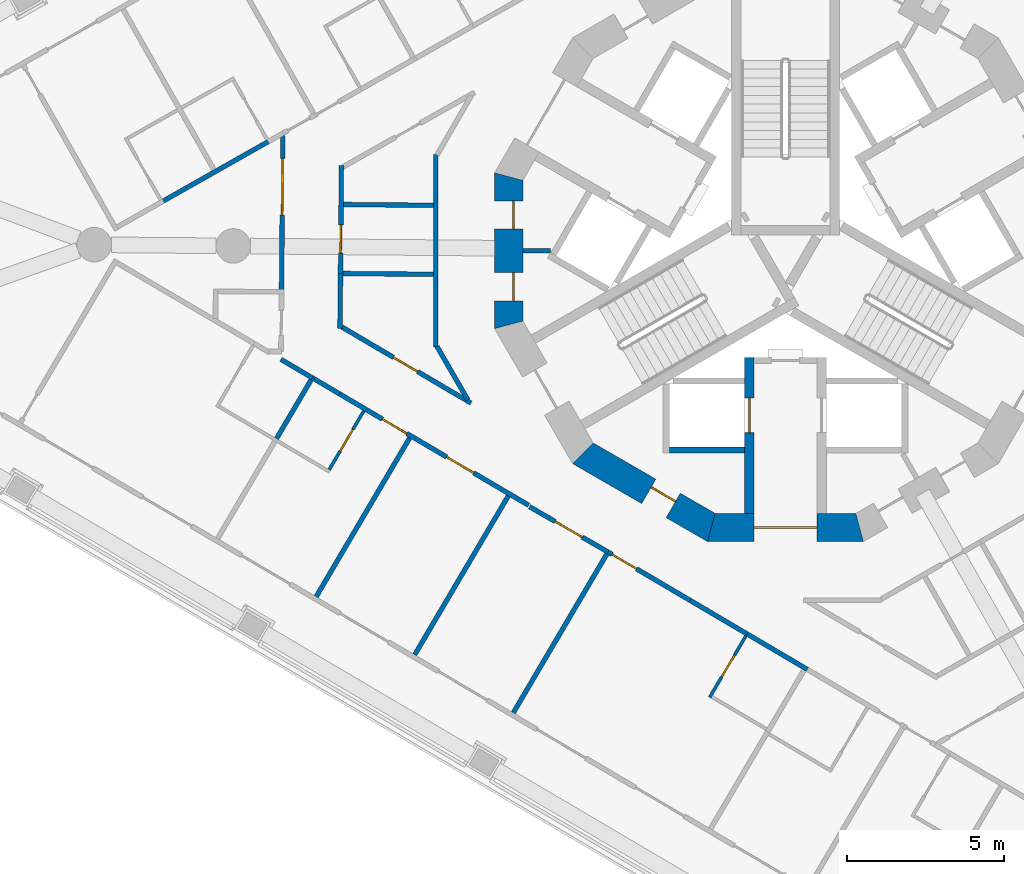
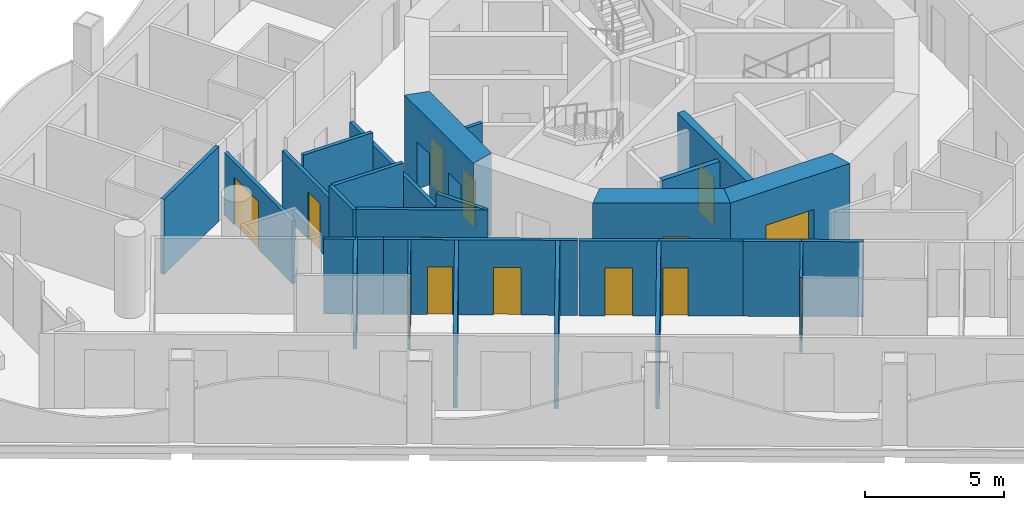
# One storey, part 3 of 18: 28 walls, 14 doors, 14 openings.
"""IFC4 building model written with IfcOpenShell, lengths in metres."""

from ifc_helpers import new_model, si_unit, direction, frame, frame_2d, origin, place, context, subcontext, project, spatial, polyline, rectangle, outline, extrude, material, layer, layer_set, type_object, element, fill, save


model = new_model("IFC4")

# Units and contexts
model_context = context("Model", 3, precision=1e-05, world=origin(), true_north=direction((0.0, 1.0)))
body_context = subcontext(model_context, "Body", "Model", "MODEL_VIEW")
ifc_project = project(units=[si_unit("LENGTHUNIT", "METRE"), si_unit("AREAUNIT", "SQUARE_METRE"), si_unit("VOLUMEUNIT", "CUBIC_METRE"), si_unit("PLANEANGLEUNIT", "RADIAN"), si_unit("MASSUNIT", "GRAM", prefix="KILO")], contexts=[model_context])

# Site, building, storey
site_placement = place(None, origin())
site = spatial("IfcSite", under=ifc_project, at=site_placement, CompositionType="ELEMENT")
building_placement = place(site_placement, origin())
building = spatial("IfcBuilding", under=site, at=building_placement, Name="Trine Commons Tower", CompositionType="ELEMENT")
storey_placement = place(building_placement, frame((0.0, 0.0, 171.89990234375)))
storey = spatial("IfcBuildingStorey", under=building, at=storey_placement, Name="L44", CompositionType="ELEMENT", Elevation=171.89990234375)

# Wall
ifc_material_1 = material(Name="Plasterboard partition on steel studs", Category="steel")
ifc_layer_1 = layer(ifc_material_1, 0.14990234375)
ifc_layer_set_1 = layer_set([ifc_layer_1], Name="Plasterboard partition on steel studs")
wall_type_1 = type_object("IfcWallType", Name="Core room partition 150 mm, EI 60", PredefinedType="PARTITIONING", material=ifc_layer_set_1)
wall_1_placement = place(storey_placement, frame((71.626953125, 62.5, 0.0), z_axis=(0.0, 0.0, 1.0), x_axis=(1.0, 0.0, 0.0)))
element("IfcWall", 1, at=wall_1_placement, inside=storey, type_object=wall_type_1, Name="Core room partition L44", PredefinedType="PARTITIONING", context=body_context, shape_type="SweptSolid", body=[
    extrude(rectangle(XDim=0.882080078125, YDim=0.14990234375, at=frame_2d((0.44091796875, 0.0))), origin(), (0.0, 0.0, 1.0), 3.300048828125),
])

# Wall, opening, door
ifc_material_2 = material(Name="Concrete C60/75", Category="concrete")
ifc_layer_2 = layer(ifc_material_2, 0.300048828125)
ifc_layer_set_2 = layer_set([ifc_layer_2], Name="Concrete C60/75")
wall_type_2 = type_object("IfcWallType", Name="RC shear wall 300 mm, C60/75", PredefinedType="SHEAR", material=ifc_layer_set_2)
wall_2_placement = place(storey_placement, frame((78.85009765625, 59.10009765625, 0.0), z_axis=(0.0, 0.0, 1.0), x_axis=(0.0, -1.0, 0.0)))
wall_2 = element("IfcWall", 2, at=wall_2_placement, inside=storey, type_object=wall_type_2, Name="Core cross wall SWB-03 L44", PredefinedType="SHEAR", context=body_context, shape_type="SweptSolid", body=[
    extrude(rectangle(XDim=4.97314453125, YDim=0.300048828125, at=frame_2d((2.486572265625, 0.0))), origin(), (0.0, 0.0, 1.0), 3.60009765625),
])
opening_1_placement = place(wall_2_placement, frame((1.300048828125, 0.0, 0.0)))
opening_1 = element("IfcOpeningElement", 3, at=opening_1_placement, cuts=wall_2, Name="Opening LD10", PredefinedType="OPENING", context=body_context, shape_type="SweptSolid", body=[
    extrude(rectangle(XDim=1.10009765625, YDim=2.10009765625, at=frame_2d((0.550048828125, 1.050048828125))), frame((0.0, 0.159912109375, 0.0), z_axis=(0.0, -1.0, 0.0), x_axis=(1.0, 0.0, 0.0)), (0.0, 0.0, 1.0), 0.320068359375),
])
ifc_material_3 = material(Name="Stainless steel sliding door leaves", Category="steel")
door_type_1 = type_object("IfcDoorType", Name="Lift landing door, centre-opening sliding 1100 x 2100, FD90", OperationType="DOUBLE_DOOR_SLIDING", PredefinedType="DOOR", material=ifc_material_3)
door_1_placement = place(opening_1_placement, origin())
door_1 = element("IfcDoor", 4, at=door_1_placement, inside=storey, type_object=door_type_1, Name="Lift landing door FF2 L44", OperationType="DOUBLE_DOOR_SLIDING", OverallHeight=2.10009765625, OverallWidth=1.10009765625, PredefinedType="DOOR", context=body_context, shape_type="SweptSolid", body=[
    extrude(rectangle(XDim=1.10009765625, YDim=2.10009765625, at=frame_2d((0.550048828125, 1.050048828125))), frame((0.0, 0.02490234375, 0.0), z_axis=(0.0, -1.0, 0.0), x_axis=(1.0, 0.0, 0.0)), (0.0, 0.0, 1.0), 0.050048828125),
])
fill(opening_1, door_1)

# Wall, openings, doors
ifc_layer_3 = layer(ifc_material_2, 0.89990234375)
ifc_layer_set_3 = layer_set([ifc_layer_3], Name="Concrete C60/75")
wall_type_3 = type_object("IfcWallType", Name="RC shear wall 900 mm, C60/75", PredefinedType="SHEAR", material=ifc_layer_set_3)
wall_3_placement = place(storey_placement, frame((71.177001953125, 64.984619140625, 0.0), z_axis=(0.0, 0.0, 1.0), x_axis=(0.0, -1.0, 0.0)))
wall_3 = element("IfcWall", 5, at=wall_3_placement, inside=storey, type_object=wall_type_3, Name="Core wall CWE-07 L44", PredefinedType="SHEAR", context=body_context, shape_type="SweptSolid", body=[
    extrude(outline(polyline([(0.0, -0.449951171875), (4.969482421875, -0.449951171875), (4.728271484375, 0.449951171875), (0.2412109375, 0.449951171875), (0.0, -0.449951171875)])), origin(), (0.0, 0.0, 1.0), 3.60009765625),
])
opening_2_placement = place(wall_3_placement, frame((0.893798828125, 0.0, 0.0)))
opening_2 = element("IfcOpeningElement", 6, at=opening_2_placement, cuts=wall_3, Name="Opening K11.14", PredefinedType="OPENING", context=body_context, shape_type="SweptSolid", body=[
    extrude(rectangle(XDim=0.89990234375, YDim=2.10009765625, at=frame_2d((0.449951171875, 1.050048828125))), frame((0.0, 0.4599609375, 0.0), z_axis=(0.0, -1.0, 0.0), x_axis=(1.0, 0.0, 0.0)), (0.0, 0.0, 1.0), 0.919921875),
])
opening_3_placement = place(wall_3_placement, frame((3.184814453125, 0.0, 0.0)))
opening_3 = element("IfcOpeningElement", 7, at=opening_3_placement, cuts=wall_3, Name="Opening K11.15", PredefinedType="OPENING", context=body_context, shape_type="SweptSolid", body=[
    extrude(rectangle(XDim=0.89990234375, YDim=2.10009765625, at=frame_2d((0.449951171875, 1.050048828125))), frame((0.0, 0.4599609375, 0.0), z_axis=(0.0, -1.0, 0.0), x_axis=(1.0, 0.0, 0.0)), (0.0, 0.0, 1.0), 0.919921875),
])
ifc_material_4 = material(Name="Steel door leaf, fire-rated", Category="steel")
door_type_2 = type_object("IfcDoorType", Name="Core room door, single leaf 900 x 2100, FD30S", OperationType="SINGLE_SWING_LEFT", PredefinedType="DOOR", material=ifc_material_4)
door_2_placement = place(opening_2_placement, origin())
door_2 = element("IfcDoor", 8, at=door_2_placement, inside=storey, type_object=door_type_2, Name="Door to Cleaner's store L44", OperationType="SINGLE_SWING_LEFT", OverallHeight=2.10009765625, OverallWidth=0.89990234375, PredefinedType="DOOR", context=body_context, shape_type="SweptSolid", body=[
    extrude(rectangle(XDim=0.89990234375, YDim=2.10009765625, at=frame_2d((0.449951171875, 1.050048828125))), frame((0.0, 0.1748046875, 0.0), z_axis=(0.0, -1.0, 0.0), x_axis=(1.0, 0.0, 0.0)), (0.0, 0.0, 1.0), 0.050048828125),
])
fill(opening_2, door_2)
door_3_placement = place(opening_3_placement, origin())
door_3 = element("IfcDoor", 9, at=door_3_placement, inside=storey, type_object=door_type_2, Name="Door to Accessible WC L44", OperationType="SINGLE_SWING_RIGHT", OverallHeight=2.10009765625, OverallWidth=0.89990234375, PredefinedType="DOOR", context=body_context, shape_type="SweptSolid", body=[
    extrude(rectangle(XDim=0.89990234375, YDim=2.10009765625, at=frame_2d((0.449951171875, 1.050048828125))), frame((0.0, 0.1748046875, 0.0), z_axis=(0.0, -1.0, 0.0), x_axis=(1.0, 0.0, 0.0)), (0.0, 0.0, 1.0), 0.050048828125),
])
fill(opening_3, door_3)

# Wall, opening, door
wall_4_placement = place(storey_placement, frame((73.436767578125, 56.1015625, 0.0), z_axis=(0.0, 0.0, 1.0), x_axis=(0.866003133579, -0.500038571144, 0.0)))
wall_4 = element("IfcWall", 10, at=wall_4_placement, inside=storey, type_object=wall_type_3, Name="Core wall CWE-09 L44", PredefinedType="SHEAR", context=body_context, shape_type="SweptSolid", body=[
    extrude(outline(polyline([(0.0, -0.449951171875), (4.96923828125, -0.449951171875), (4.72802734375, 0.449951171875), (0.2412109375, 0.449951171875), (0.0, -0.449951171875)])), origin(), (0.0, 0.0, 1.0), 3.60009765625),
])
opening_4_placement = place(wall_4_placement, frame((2.5458984375, 0.0, 0.0)))
opening_4 = element("IfcOpeningElement", 11, at=opening_4_placement, cuts=wall_4, Name="Opening K11.16", PredefinedType="OPENING", context=body_context, shape_type="SweptSolid", body=[
    extrude(rectangle(XDim=0.89990234375, YDim=2.10009765625, at=frame_2d((0.449951171875, 1.050048828125))), frame((0.0, 0.4599609375, 0.0), z_axis=(0.0, -1.0, 0.0), x_axis=(1.0, 0.0, 0.0)), (0.0, 0.0, 1.0), 0.919921875),
])
door_4_placement = place(opening_4_placement, origin())
door_4 = element("IfcDoor", 12, at=door_4_placement, inside=storey, type_object=door_type_2, Name="Door to Pantry L44", OperationType="SINGLE_SWING_RIGHT", OverallHeight=2.10009765625, OverallWidth=0.89990234375, PredefinedType="DOOR", context=body_context, shape_type="SweptSolid", body=[
    extrude(rectangle(XDim=0.89990234375, YDim=2.10009765625, at=frame_2d((0.449951171875, 1.050048828125))), frame((0.0, 0.1748046875, 0.0), z_axis=(0.0, -1.0, 0.0), x_axis=(1.0, 0.0, 0.0)), (0.0, 0.0, 1.0), 0.050048828125),
])
fill(opening_4, door_4)

wall_5_placement = place(storey_placement, frame((77.515380859375, 53.677001953125, 0.0), z_axis=(0.0, 0.0, 1.0), x_axis=(1.0, 0.0, 0.0)))
wall_5 = element("IfcWall", 13, at=wall_5_placement, inside=storey, type_object=wall_type_3, Name="Core wall CWE-10 L44", PredefinedType="SHEAR", context=body_context, shape_type="SweptSolid", body=[
    extrude(outline(polyline([(0.0, -0.449951171875), (4.969482421875, -0.449951171875), (4.728271484375, 0.449951171875), (0.2412109375, 0.449951171875), (0.0, -0.449951171875)])), origin(), (0.0, 0.0, 1.0), 3.60009765625),
])
opening_5_placement = place(wall_5_placement, frame((1.484619140625, 0.0, 0.0)))
opening_5 = element("IfcOpeningElement", 14, at=opening_5_placement, cuts=wall_5, Name="Opening K11.08", PredefinedType="OPENING", context=body_context, shape_type="SweptSolid", body=[
    extrude(rectangle(XDim=2.0, YDim=2.10009765625, at=frame_2d((1.0, 1.050048828125))), frame((0.0, 0.4599609375, 0.0), z_axis=(0.0, -1.0, 0.0), x_axis=(1.0, 0.0, 0.0)), (0.0, 0.0, 1.0), 0.919921875),
])
ifc_material_5 = material(Name="Steel door leaves, fire-rated", Category="steel")
door_type_3 = type_object("IfcDoorType", Name="Lobby door, double leaf 2000 x 2100, FD60", OperationType="DOUBLE_DOOR_SINGLE_SWING", PredefinedType="DOOR", material=ifc_material_5)
door_5_placement = place(opening_5_placement, origin())
door_5 = element("IfcDoor", 15, at=door_5_placement, inside=storey, type_object=door_type_3, Name="Lobby door, Service and firefighting lobby L44", OperationType="DOUBLE_DOOR_SINGLE_SWING", OverallHeight=2.10009765625, OverallWidth=2.0, PredefinedType="DOOR", context=body_context, shape_type="SweptSolid", body=[
    extrude(rectangle(XDim=2.0, YDim=2.10009765625, at=frame_2d((1.0, 1.050048828125))), frame((0.0, 0.02490234375, 0.0), z_axis=(0.0, -1.0, 0.0), x_axis=(1.0, 0.0, 0.0)), (0.0, 0.0, 1.0), 0.050048828125),
])
fill(opening_5, door_5)

# Walls
ifc_material_6 = material(Name="Fire-rated gypsum shaft wall system")
ifc_layer_4 = layer(ifc_material_6, 0.199951171875)
ifc_layer_set_4 = layer_set([ifc_layer_4], Name="Fire-rated gypsum shaft wall system")
wall_type_4 = type_object("IfcWallType", Name="Shaft wall 200 mm, EI 120", PredefinedType="PARTITIONING", material=ifc_layer_set_4)
wall_6_placement = place(storey_placement, frame((78.699951171875, 56.14990234375, 0.0), z_axis=(0.0, 0.0, 1.0), x_axis=(-1.0, 0.0, 0.0)))
element("IfcWall", 16, at=wall_6_placement, inside=storey, type_object=wall_type_4, Name="Shaft wall L44", PredefinedType="PARTITIONING", context=body_context, shape_type="SweptSolid", body=[
    extrude(rectangle(XDim=2.39990234375, YDim=0.199951171875, at=frame_2d((1.199951171875, 0.0))), origin(), (0.0, 0.0, 1.0), 3.300048828125),
])
ifc_material_7 = material(Name="Gypsum plasterboard on steel stud", Category="steel")
ifc_layer_5 = layer(ifc_material_7, 0.14990234375)
ifc_layer_set_5 = layer_set([ifc_layer_5], Name="Gypsum plasterboard on steel stud")
wall_type_5 = type_object("IfcWallType", Name="Unit and corridor wall 150 mm, EI 60", PredefinedType="PARTITIONING", material=ifc_layer_set_5)
wall_7_placement = place(storey_placement, frame((60.113037109375, 64.056884765625, 0.0), z_axis=(0.0, 0.0, 1.0), x_axis=(0.870300828713, 0.492520524995, 0.0)))
element("IfcWall", 17, at=wall_7_placement, inside=storey, type_object=wall_type_5, Name="Partition 008", PredefinedType="PARTITIONING", context=body_context, shape_type="SweptSolid", body=[
    extrude(rectangle(XDim=3.906494140625, YDim=0.14990234375, at=frame_2d((1.953125, 0.0))), origin(), (0.0, 0.0, 1.0), 3.300048828125),
])
wall_8_placement = place(storey_placement, frame((63.7724609375, 56.509033203125, 0.0), z_axis=(0.0, 0.0, 1.0), x_axis=(0.507359649966, 0.861734405479, 0.0)))
element("IfcWall", 18, at=wall_8_placement, inside=storey, type_object=wall_type_5, Name="Partition 020", PredefinedType="PARTITIONING", context=body_context, shape_type="SweptSolid", body=[
    extrude(rectangle(XDim=2.3251953125, YDim=0.14990234375, at=frame_2d((1.16259765625, 0.0))), origin(), (0.0, 0.0, 1.0), 3.300048828125),
])
wall_9_placement = place(storey_placement, frame((63.9140625, 59.037109375, 0.0), z_axis=(0.0, 0.0, 1.0), x_axis=(0.861518804546, -0.507725663536, 0.0)))
element("IfcWall", 19, at=wall_9_placement, inside=storey, type_object=wall_type_5, Name="Partition 021", PredefinedType="PARTITIONING", context=body_context, shape_type="SweptSolid", body=[
    extrude(rectangle(XDim=1.1640625, YDim=0.14990234375, at=frame_2d((0.58203125, 0.0))), origin(), (0.0, 0.0, 1.0), 3.300048828125),
])

# Wall, opening, door
wall_10_placement = place(storey_placement, frame((63.931884765625, 61.18310546875, 0.0), z_axis=(0.0, 0.0, 1.0), x_axis=(0.008717466764, 0.999962002165, 0.0)))
wall_10 = element("IfcWall", 20, at=wall_10_placement, inside=storey, type_object=wall_type_5, Name="Partition 023", PredefinedType="PARTITIONING", context=body_context, shape_type="SweptSolid", body=[
    extrude(rectangle(XDim=4.985107421875, YDim=0.14990234375, at=frame_2d((2.49267578125, 0.0))), origin(), (0.0, 0.0, 1.0), 2.75),
])
opening_6_placement = place(wall_10_placement, frame((2.458984375, 0.0, 0.0)))
opening_6 = element("IfcOpeningElement", 21, at=opening_6_placement, cuts=wall_10, Name="Opening D-5B03", PredefinedType="OPENING", context=body_context, shape_type="SweptSolid", body=[
    extrude(rectangle(XDim=1.800048828125, YDim=2.10009765625, at=frame_2d((0.89990234375, 1.050048828125))), frame((0.0, 0.0849609375, 0.0), z_axis=(0.0, -1.0, 0.0), x_axis=(1.0, 0.0, 0.0)), (0.0, 0.0, 1.0), 0.169921875),
])
ifc_material_8 = material(Name="Timber fire door set", Category="wood")
door_type_4 = type_object("IfcDoorType", Name="Cluster entrance door 1800 x 2100, double leaf, FD30S", OperationType="DOUBLE_DOOR_DOUBLE_SWING", PredefinedType="DOOR", material=ifc_material_8)
door_6_placement = place(opening_6_placement, origin())
door_6 = element("IfcDoor", 22, at=door_6_placement, inside=storey, type_object=door_type_4, Name="Door D-5B03", OperationType="DOUBLE_DOOR_DOUBLE_SWING", OverallHeight=2.10009765625, OverallWidth=1.800048828125, PredefinedType="DOOR", context=body_context, shape_type="SweptSolid", body=[
    extrude(rectangle(XDim=1.800048828125, YDim=2.10009765625, at=frame_2d((0.89990234375, 1.050048828125))), frame((0.0, 0.02490234375, 0.0), z_axis=(0.0, -1.0, 0.0), x_axis=(1.0, 0.0, 0.0)), (0.0, 0.0, 1.0), 0.050048828125),
])
fill(opening_6, door_6)

# Walls
wall_11_placement = place(storey_placement, frame((64.9755859375, 58.411865234375, 0.0), z_axis=(0.0, 0.0, 1.0), x_axis=(0.861348284073, -0.508014894982, 0.0)))
element("IfcWall", 23, at=wall_11_placement, inside=storey, type_object=wall_type_5, Name="Partition 025", PredefinedType="PARTITIONING", context=body_context, shape_type="SweptSolid", body=[
    extrude(rectangle(XDim=0.932861328125, YDim=0.14990234375, at=frame_2d((0.46630859375, 0.0))), origin(), (0.0, 0.0, 1.0), 3.300048828125),
])
wall_12_placement = place(storey_placement, frame((65.037353515625, 51.470458984375, 0.0), z_axis=(0.0, 0.0, 1.0), x_axis=(0.507499507785, 0.861652046709, 0.0)))
element("IfcWall", 24, at=wall_12_placement, inside=storey, type_object=wall_type_5, Name="Partition 027", PredefinedType="PARTITIONING", context=body_context, shape_type="SweptSolid", body=[
    extrude(rectangle(XDim=5.874755859375, YDim=0.14990234375, at=frame_2d((2.9375, 0.0))), origin(), (0.0, 0.0, 1.0), 3.300048828125),
])

# Wall, openings, doors
wall_13_placement = place(storey_placement, frame((65.779052734375, 57.93798828125, 0.0), z_axis=(0.0, 0.0, 1.0), x_axis=(0.861623120435, -0.507548616718, 0.0)))
wall_13 = element("IfcWall", 25, at=wall_13_placement, inside=storey, type_object=wall_type_5, Name="Partition 032", PredefinedType="PARTITIONING", context=body_context, shape_type="SweptSolid", body=[
    extrude(rectangle(XDim=7.004150390625, YDim=0.14990234375, at=frame_2d((3.501953125, 0.0))), origin(), (0.0, 0.0, 1.0), 3.300048828125),
])
opening_7_placement = place(wall_13_placement, frame((3.967041015625, 0.0, 0.0)))
opening_7 = element("IfcOpeningElement", 26, at=opening_7_placement, cuts=wall_13, Name="Opening D-5B27", PredefinedType="OPENING", context=body_context, shape_type="SweptSolid", body=[
    extrude(rectangle(XDim=1.0, YDim=2.10009765625, at=frame_2d((0.5, 1.050048828125))), frame((0.0, 0.0849609375, 0.0), z_axis=(0.0, -1.0, 0.0), x_axis=(1.0, 0.0, 0.0)), (0.0, 0.0, 1.0), 0.169921875),
])
opening_8_placement = place(wall_13_placement, frame((1.593505859375, 0.0, 0.0)))
opening_8 = element("IfcOpeningElement", 27, at=opening_8_placement, cuts=wall_13, Name="Opening D-5B28", PredefinedType="OPENING", context=body_context, shape_type="SweptSolid", body=[
    extrude(rectangle(XDim=0.89990234375, YDim=2.10009765625, at=frame_2d((0.449951171875, 1.050048828125))), frame((0.0, 0.0849609375, 0.0), z_axis=(0.0, -1.0, 0.0), x_axis=(1.0, 0.0, 0.0)), (0.0, 0.0, 1.0), 0.169921875),
])
ifc_material_9 = material(Name="Painted timber", Category="wood")
door_type_5 = type_object("IfcDoorType", Name="Amenity room door 1000 x 2100, NOT RATED", OperationType="NOTDEFINED", PredefinedType="DOOR", material=ifc_material_9)
door_7_placement = place(opening_7_placement, frame((1.0, 0.0, 0.0), z_axis=(0.0, 0.0, 1.0), x_axis=(-1.0, 0.0, 0.0)))
door_7 = element("IfcDoor", 28, at=door_7_placement, inside=storey, type_object=door_type_5, Name="Door D-5B27", OperationType="SINGLE_SWING_LEFT", OverallHeight=2.10009765625, OverallWidth=1.0, PredefinedType="DOOR", context=body_context, shape_type="SweptSolid", body=[
    extrude(rectangle(XDim=1.0, YDim=2.10009765625, at=frame_2d((0.5, 1.050048828125))), frame((0.0, 0.02490234375, 0.0), z_axis=(0.0, -1.0, 0.0), x_axis=(1.0, 0.0, 0.0)), (0.0, 0.0, 1.0), 0.050048828125),
])
fill(opening_7, door_7)
door_type_6 = type_object("IfcDoorType", Name="Bedroom door 900 x 2100, FD30S", OperationType="NOTDEFINED", PredefinedType="DOOR", material=ifc_material_8)
door_8_placement = place(opening_8_placement, frame((0.89990234375, 0.0, 0.0), z_axis=(0.0, 0.0, 1.0), x_axis=(-1.0, 0.0, 0.0)))
door_8 = element("IfcDoor", 29, at=door_8_placement, inside=storey, type_object=door_type_6, Name="Door D-5B28", OperationType="SINGLE_SWING_RIGHT", OverallHeight=2.10009765625, OverallWidth=0.89990234375, PredefinedType="DOOR", context=body_context, shape_type="SweptSolid", body=[
    extrude(rectangle(XDim=0.89990234375, YDim=2.10009765625, at=frame_2d((0.449951171875, 1.050048828125))), frame((0.0, 0.02490234375, 0.0), z_axis=(0.0, -1.0, 0.0), x_axis=(1.0, 0.0, 0.0)), (0.0, 0.0, 1.0), 0.050048828125),
])
fill(opening_8, door_8)

# Wall
wall_14_placement = place(storey_placement, frame((65.79736328125, 60.028076171875, 0.0), z_axis=(0.0, 0.0, 1.0), x_axis=(0.00892821556, 0.999960142689, 0.0)))
element("IfcWall", 30, at=wall_14_placement, inside=storey, type_object=wall_type_5, Name="Partition 033", PredefinedType="PARTITIONING", context=body_context, shape_type="SweptSolid", body=[
    extrude(rectangle(XDim=1.75, YDim=0.14990234375, at=frame_2d((0.875, 0.0))), origin(), (0.0, 0.0, 1.0), 3.300048828125),
])

# Wall, opening, door
wall_15_placement = place(storey_placement, frame((65.862548828125, 60.06494140625, 0.0), z_axis=(0.0, 0.0, 1.0), x_axis=(0.861635540959, -0.507527530835, 0.0)))
wall_15 = element("IfcWall", 31, at=wall_15_placement, inside=storey, type_object=wall_type_5, Name="Partition 034", PredefinedType="PARTITIONING", context=body_context, shape_type="SweptSolid", body=[
    extrude(rectangle(XDim=4.7724609375, YDim=0.14990234375, at=frame_2d((2.38623046875, 0.0))), origin(), (0.0, 0.0, 1.0), 3.300048828125),
])
opening_9_placement = place(wall_15_placement, frame((1.898681640625, 0.0, 0.0)))
opening_9 = element("IfcOpeningElement", 32, at=opening_9_placement, cuts=wall_15, Name="Opening D-5B30", PredefinedType="OPENING", context=body_context, shape_type="SweptSolid", body=[
    extrude(rectangle(XDim=0.89990234375, YDim=2.10009765625, at=frame_2d((0.449951171875, 1.050048828125))), frame((0.0, 0.0849609375, 0.0), z_axis=(0.0, -1.0, 0.0), x_axis=(1.0, 0.0, 0.0)), (0.0, 0.0, 1.0), 0.169921875),
])
door_type_7 = type_object("IfcDoorType", Name="Service door 900 x 2100, FD30S", OperationType="NOTDEFINED", PredefinedType="DOOR", material=ifc_material_8)
door_9_placement = place(opening_9_placement, origin())
door_9 = element("IfcDoor", 33, at=door_9_placement, inside=storey, type_object=door_type_7, Name="Door D-5B30", OperationType="SINGLE_SWING_LEFT", OverallHeight=2.10009765625, OverallWidth=0.89990234375, PredefinedType="DOOR", context=body_context, shape_type="SweptSolid", body=[
    extrude(rectangle(XDim=0.89990234375, YDim=2.10009765625, at=frame_2d((0.449951171875, 1.050048828125))), frame((0.0, 0.02490234375, 0.0), z_axis=(0.0, -1.0, 0.0), x_axis=(1.0, 0.0, 0.0)), (0.0, 0.0, 1.0), 0.050048828125),
])
fill(opening_9, door_9)

wall_16_placement = place(storey_placement, frame((65.8125, 61.695068359375, 0.0), z_axis=(0.0, 0.0, 1.0), x_axis=(0.008521236962, 0.999963693601, 0.0)))
wall_16 = element("IfcWall", 34, at=wall_16_placement, inside=storey, type_object=wall_type_5, Name="Partition 035", PredefinedType="PARTITIONING", context=body_context, shape_type="SweptSolid", body=[
    extrude(rectangle(XDim=3.524169921875, YDim=0.14990234375, at=frame_2d((1.76220703125, 0.0))), origin(), (0.0, 0.0, 1.0), 2.75),
])
opening_10_placement = place(wall_16_placement, frame((0.72900390625, 0.0, 0.0)))
opening_10 = element("IfcOpeningElement", 35, at=opening_10_placement, cuts=wall_16, Name="Opening D-5B36", PredefinedType="OPENING", context=body_context, shape_type="SweptSolid", body=[
    extrude(rectangle(XDim=0.89990234375, YDim=2.10009765625, at=frame_2d((0.449951171875, 1.050048828125))), frame((0.0, 0.0849609375, 0.0), z_axis=(0.0, -1.0, 0.0), x_axis=(1.0, 0.0, 0.0)), (0.0, 0.0, 1.0), 0.169921875),
])
door_10_placement = place(opening_10_placement, frame((0.89990234375, 0.0, 0.0), z_axis=(0.0, 0.0, 1.0), x_axis=(-1.0, 0.0, 0.0)))
door_10 = element("IfcDoor", 36, at=door_10_placement, inside=storey, type_object=door_type_7, Name="Door D-5B36", OperationType="SINGLE_SWING_RIGHT", OverallHeight=2.10009765625, OverallWidth=0.89990234375, PredefinedType="DOOR", context=body_context, shape_type="SweptSolid", body=[
    extrude(rectangle(XDim=0.89990234375, YDim=2.10009765625, at=frame_2d((0.449951171875, 1.050048828125))), frame((0.0, 0.02490234375, 0.0), z_axis=(0.0, -1.0, 0.0), x_axis=(1.0, 0.0, 0.0)), (0.0, 0.0, 1.0), 0.050048828125),
])
fill(opening_10, door_10)

# Walls
wall_17_placement = place(storey_placement, frame((65.887939453125, 61.773193359375, 0.0), z_axis=(0.0, 0.0, 1.0), x_axis=(0.999961385679, -0.008787897931, 0.0)))
element("IfcWall", 37, at=wall_17_placement, inside=storey, type_object=wall_type_5, Name="Partition 036", PredefinedType="PARTITIONING", context=body_context, shape_type="SweptSolid", body=[
    extrude(rectangle(XDim=2.88916015625, YDim=0.14990234375, at=frame_2d((1.444580078125, 0.0))), origin(), (0.0, 0.0, 1.0), 3.300048828125),
])
wall_18_placement = place(storey_placement, frame((65.906982421875, 63.973388671875, 0.0), z_axis=(0.0, 0.0, 1.0), x_axis=(0.999960115563, -0.008931253159, 0.0)))
element("IfcWall", 38, at=wall_18_placement, inside=storey, type_object=wall_type_5, Name="Partition 038", PredefinedType="PARTITIONING", context=body_context, shape_type="SweptSolid", body=[
    extrude(rectangle(XDim=2.8701171875, YDim=0.14990234375, at=frame_2d((1.43505859375, 0.0))), origin(), (0.0, 0.0, 1.0), 3.300048828125),
])
wall_19_placement = place(storey_placement, frame((68.17919921875, 49.619384765625, 0.0), z_axis=(0.0, 0.0, 1.0), x_axis=(0.507603061138, 0.861591047031, 0.0)))
element("IfcWall", 39, at=wall_19_placement, inside=storey, type_object=wall_type_5, Name="Partition 042", PredefinedType="PARTITIONING", context=body_context, shape_type="SweptSolid", body=[
    extrude(rectangle(XDim=5.8740234375, YDim=0.14990234375, at=frame_2d((2.93701171875, 0.0))), origin(), (0.0, 0.0, 1.0), 3.300048828125),
])
wall_20_placement = place(storey_placement, frame((68.85205078125, 59.43798828125, 0.0), z_axis=(0.0, 0.0, 1.0), x_axis=(0.0, 1.0, 0.0)))
element("IfcWall", 40, at=wall_20_placement, inside=storey, type_object=wall_type_5, Name="Partition 044", PredefinedType="PARTITIONING", context=body_context, shape_type="SweptSolid", body=[
    extrude(rectangle(XDim=6.1240234375, YDim=0.14990234375, at=frame_2d((3.06201171875, 0.0))), origin(), (0.0, 0.0, 1.0), 2.75),
])
wall_21_placement = place(storey_placement, frame((68.889404296875, 59.447998046875, 0.0), z_axis=(0.0, 0.0, 1.0), x_axis=(0.500259007655, -0.865875813994, 0.0)))
element("IfcWall", 41, at=wall_21_placement, inside=storey, type_object=wall_type_5, Name="Partition 045", PredefinedType="PARTITIONING", context=body_context, shape_type="SweptSolid", body=[
    extrude(rectangle(XDim=1.96923828125, YDim=0.14990234375, at=frame_2d((0.984619140625, 0.0))), origin(), (0.0, 0.0, 1.0), 3.300048828125),
])
wall_22_placement = place(storey_placement, frame((71.322265625, 47.7685546875, 0.0), z_axis=(0.0, 0.0, 1.0), x_axis=(0.507621238888, 0.86158033742, 0.0)))
element("IfcWall", 42, at=wall_22_placement, inside=storey, type_object=wall_type_5, Name="Partition 049", PredefinedType="PARTITIONING", context=body_context, shape_type="SweptSolid", body=[
    extrude(rectangle(XDim=5.873779296875, YDim=0.14990234375, at=frame_2d((2.93701171875, 0.0))), origin(), (0.0, 0.0, 1.0), 3.300048828125),
])

# Wall, opening, door
wall_23_placement = place(storey_placement, frame((71.839111328125, 54.339111328125, 0.0), z_axis=(0.0, 0.0, 1.0), x_axis=(0.866109656245, -0.499854042055, 0.0)))
wall_23 = element("IfcWall", 43, at=wall_23_placement, inside=storey, type_object=wall_type_5, Name="Partition 051", PredefinedType="PARTITIONING", context=body_context, shape_type="SweptSolid", body=[
    extrude(rectangle(XDim=2.890869140625, YDim=0.14990234375, at=frame_2d((1.4453125, 0.0))), origin(), (0.0, 0.0, 1.0), 3.300048828125),
])
opening_11_placement = place(wall_23_placement, frame((0.94482421875, 0.0, 0.0)))
opening_11 = element("IfcOpeningElement", 44, at=opening_11_placement, cuts=wall_23, Name="Opening D-5B26", PredefinedType="OPENING", context=body_context, shape_type="SweptSolid", body=[
    extrude(rectangle(XDim=1.0, YDim=2.10009765625, at=frame_2d((0.5, 1.050048828125))), frame((0.0, 0.0849609375, 0.0), z_axis=(0.0, -1.0, 0.0), x_axis=(1.0, 0.0, 0.0)), (0.0, 0.0, 1.0), 0.169921875),
])
door_11_placement = place(opening_11_placement, frame((1.0, 0.0, 0.0), z_axis=(0.0, 0.0, 1.0), x_axis=(-1.0, 0.0, 0.0)))
door_11 = element("IfcDoor", 45, at=door_11_placement, inside=storey, type_object=door_type_5, Name="Door D-5B26", OperationType="SINGLE_SWING_RIGHT", OverallHeight=2.10009765625, OverallWidth=1.0, PredefinedType="DOOR", context=body_context, shape_type="SweptSolid", body=[
    extrude(rectangle(XDim=1.0, YDim=2.10009765625, at=frame_2d((0.5, 1.050048828125))), frame((0.0, 0.02490234375, 0.0), z_axis=(0.0, -1.0, 0.0), x_axis=(1.0, 0.0, 0.0)), (0.0, 0.0, 1.0), 0.050048828125),
])
fill(opening_11, door_11)

wall_24_placement = place(storey_placement, frame((74.343017578125, 52.89306640625, 0.0), z_axis=(0.0, 0.0, 1.0), x_axis=(0.861723501075, -0.507378170298, 0.0)))
wall_24 = element("IfcWall", 46, at=wall_24_placement, inside=storey, type_object=wall_type_5, Name="Partition 052", PredefinedType="PARTITIONING", context=body_context, shape_type="SweptSolid", body=[
    extrude(rectangle(XDim=3.0390625, YDim=0.14990234375, at=frame_2d((1.51953125, 0.0))), origin(), (0.0, 0.0, 1.0), 3.300048828125),
])
opening_12_placement = place(wall_24_placement, frame((0.14990234375, 0.0, 0.0)))
opening_12 = element("IfcOpeningElement", 47, at=opening_12_placement, cuts=wall_24, Name="Opening D-5B25", PredefinedType="OPENING", context=body_context, shape_type="SweptSolid", body=[
    extrude(rectangle(XDim=0.89990234375, YDim=2.10009765625, at=frame_2d((0.449951171875, 1.050048828125))), frame((0.0, 0.0849609375, 0.0), z_axis=(0.0, -1.0, 0.0), x_axis=(1.0, 0.0, 0.0)), (0.0, 0.0, 1.0), 0.169921875),
])
door_12_placement = place(opening_12_placement, frame((0.89990234375, 0.0, 0.0), z_axis=(0.0, 0.0, 1.0), x_axis=(-1.0, 0.0, 0.0)))
door_12 = element("IfcDoor", 48, at=door_12_placement, inside=storey, type_object=door_type_6, Name="Door D-5B25", OperationType="SINGLE_SWING_RIGHT", OverallHeight=2.10009765625, OverallWidth=0.89990234375, PredefinedType="DOOR", context=body_context, shape_type="SweptSolid", body=[
    extrude(rectangle(XDim=0.89990234375, YDim=2.10009765625, at=frame_2d((0.449951171875, 1.050048828125))), frame((0.0, 0.02490234375, 0.0), z_axis=(0.0, -1.0, 0.0), x_axis=(1.0, 0.0, 0.0)), (0.0, 0.0, 1.0), 0.050048828125),
])
fill(opening_12, door_12)

# Walls
wall_25_placement = place(storey_placement, frame((76.9599609375, 51.35205078125, 0.0), z_axis=(0.0, 0.0, 1.0), x_axis=(0.861490543353, -0.50777361463, 0.0)))
element("IfcWall", 49, at=wall_25_placement, inside=storey, type_object=wall_type_5, Name="Partition 057", PredefinedType="PARTITIONING", context=body_context, shape_type="SweptSolid", body=[
    extrude(rectangle(XDim=2.109375, YDim=0.14990234375, at=frame_2d((1.0546875, 0.0))), origin(), (0.0, 0.0, 1.0), 3.300048828125),
])
wall_26_placement = place(storey_placement, frame((78.727783203125, 50.310302734375, 0.0), z_axis=(0.0, 0.0, 1.0), x_axis=(0.861645374086, -0.507510836648, 0.0)))
element("IfcWall", 50, at=wall_26_placement, inside=storey, type_object=wall_type_5, Name="Partition 064", PredefinedType="PARTITIONING", context=body_context, shape_type="SweptSolid", body=[
    extrude(rectangle(XDim=2.28271484375, YDim=0.14990234375, at=frame_2d((1.141357421875, 0.0))), origin(), (0.0, 0.0, 1.0), 3.300048828125),
])

# Wall, opening, door
ifc_layer_6 = layer(ifc_material_7, 0.10009765625)
ifc_layer_set_6 = layer_set([ifc_layer_6], Name="Gypsum plasterboard on steel stud")
wall_type_6 = type_object("IfcWallType", Name="Unit partition 100 mm, no rating", PredefinedType="PARTITIONING", material=ifc_layer_set_6)
wall_27_placement = place(storey_placement, frame((65.452392578125, 55.51904296875, 0.0), z_axis=(0.0, 0.0, 1.0), x_axis=(0.507363468798, 0.861732157071, 0.0)))
wall_27 = element("IfcWall", 51, at=wall_27_placement, inside=storey, type_object=wall_type_6, Name="Partition 031", PredefinedType="PARTITIONING", context=body_context, shape_type="SweptSolid", body=[
    extrude(rectangle(XDim=2.175048828125, YDim=0.10009765625, at=frame_2d((1.08740234375, 0.0))), origin(), (0.0, 0.0, 1.0), 3.300048828125),
])
opening_13_placement = place(wall_27_placement, frame((0.6875, 0.0, 0.0)))
opening_13 = element("IfcOpeningElement", 52, at=opening_13_placement, cuts=wall_27, Name="Opening D-5B57", PredefinedType="OPENING", context=body_context, shape_type="SweptSolid", body=[
    extrude(rectangle(XDim=0.800048828125, YDim=2.10009765625, at=frame_2d((0.39990234375, 1.050048828125))), frame((0.0, 0.06005859375, 0.0), z_axis=(0.0, -1.0, 0.0), x_axis=(1.0, 0.0, 0.0)), (0.0, 0.0, 1.0), 0.1201171875),
])
door_type_8 = type_object("IfcDoorType", Name="Internal door 800 x 2100, NOT RATED", OperationType="NOTDEFINED", PredefinedType="DOOR", material=ifc_material_9)
door_13_placement = place(opening_13_placement, frame((0.800048828125, 0.0, 0.0), z_axis=(0.0, 0.0, 1.0), x_axis=(-1.0, 0.0, 0.0)))
door_13 = element("IfcDoor", 53, at=door_13_placement, inside=storey, type_object=door_type_8, Name="Door D-5B57", OperationType="SINGLE_SWING_RIGHT", OverallHeight=2.10009765625, OverallWidth=0.800048828125, PredefinedType="DOOR", context=body_context, shape_type="SweptSolid", body=[
    extrude(rectangle(XDim=0.800048828125, YDim=2.10009765625, at=frame_2d((0.39990234375, 1.050048828125))), frame((0.0, 0.02490234375, 0.0), z_axis=(0.0, -1.0, 0.0), x_axis=(1.0, 0.0, 0.0)), (0.0, 0.0, 1.0), 0.050048828125),
])
fill(opening_13, door_13)

wall_28_placement = place(storey_placement, frame((77.58154296875, 48.2587890625, 0.0), z_axis=(0.0, 0.0, 1.0), x_axis=(0.507517296511, 0.861641569182, 0.0)))
wall_28 = element("IfcWall", 54, at=wall_28_placement, inside=storey, type_object=wall_type_6, Name="Partition 060", PredefinedType="PARTITIONING", context=body_context, shape_type="SweptSolid", body=[
    extrude(rectangle(XDim=2.2744140625, YDim=0.10009765625, at=frame_2d((1.13720703125, 0.0))), origin(), (0.0, 0.0, 1.0), 3.300048828125),
])
opening_14_placement = place(wall_28_placement, frame((0.76220703125, 0.0, 0.0)))
opening_14 = element("IfcOpeningElement", 55, at=opening_14_placement, cuts=wall_28, Name="Opening D-5B56", PredefinedType="OPENING", context=body_context, shape_type="SweptSolid", body=[
    extrude(rectangle(XDim=0.800048828125, YDim=2.10009765625, at=frame_2d((0.39990234375, 1.050048828125))), frame((0.0, 0.06005859375, 0.0), z_axis=(0.0, -1.0, 0.0), x_axis=(1.0, 0.0, 0.0)), (0.0, 0.0, 1.0), 0.1201171875),
])
door_14_placement = place(opening_14_placement, origin())
door_14 = element("IfcDoor", 56, at=door_14_placement, inside=storey, type_object=door_type_8, Name="Door D-5B56", OperationType="SINGLE_SWING_RIGHT", OverallHeight=2.10009765625, OverallWidth=0.800048828125, PredefinedType="DOOR", context=body_context, shape_type="SweptSolid", body=[
    extrude(rectangle(XDim=0.800048828125, YDim=2.10009765625, at=frame_2d((0.39990234375, 1.050048828125))), frame((0.0, 0.02490234375, 0.0), z_axis=(0.0, -1.0, 0.0), x_axis=(1.0, 0.0, 0.0)), (0.0, 0.0, 1.0), 0.050048828125),
])
fill(opening_14, door_14)

save(model, "model.ifc")
